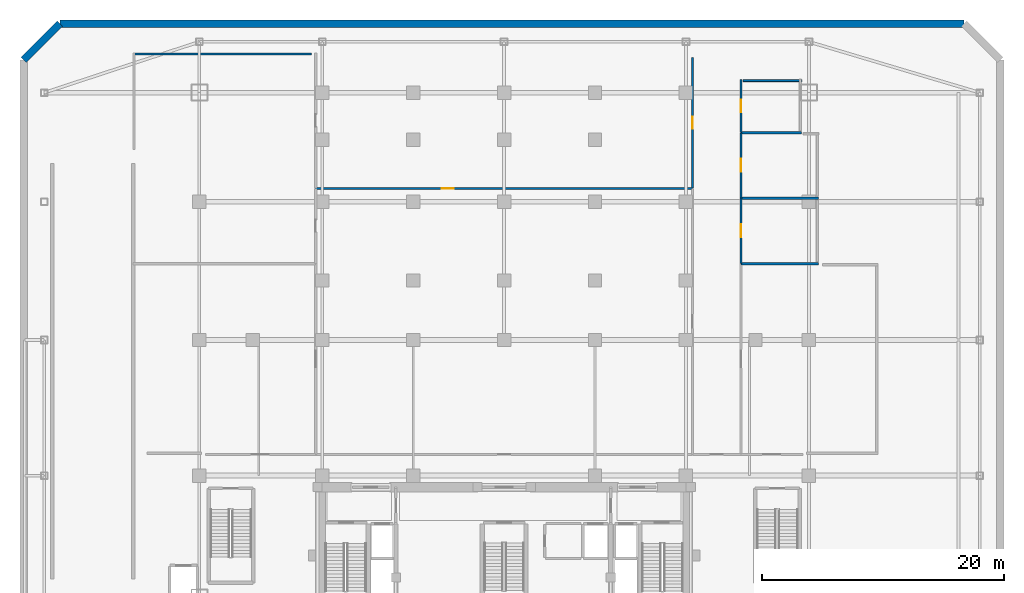
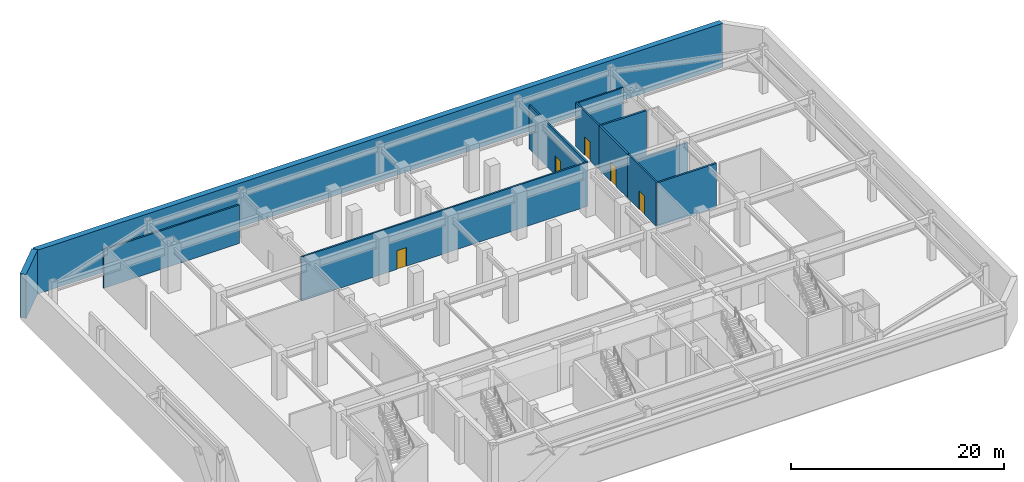
# One storey, part 6 of 9: 12 walls, 5 doors, 5 openings.
"""IFC4 building model written with IfcOpenShell, lengths in metres."""

from ifc_helpers import new_model, si_unit, direction, frame, frame_2d, origin, place, context, subcontext, project, spatial, rectangle, extrude, material, layer, layer_set, type_object, element, fill, save


model = new_model("IFC4")

# Units and contexts
model_context = context("Model", 3, precision=1e-05, world=origin(), true_north=direction((0.0, 1.0)))
body_context = subcontext(model_context, "Body", "Model", "MODEL_VIEW")
ifc_project = project(units=[si_unit("LENGTHUNIT", "METRE"), si_unit("AREAUNIT", "SQUARE_METRE"), si_unit("VOLUMEUNIT", "CUBIC_METRE"), si_unit("PLANEANGLEUNIT", "RADIAN"), si_unit("MASSUNIT", "GRAM", prefix="KILO")], contexts=[model_context])

# Site, building, storey
site_placement = place(None, origin())
site = spatial("IfcSite", under=ifc_project, at=site_placement, CompositionType="ELEMENT")
building_placement = place(site_placement, origin())
building = spatial("IfcBuilding", under=site, at=building_placement, Name="Ventersveld Concourse Tower", CompositionType="ELEMENT")
storey_placement = place(building_placement, frame((0.0, 0.0, -5.39990234375)))
storey = spatial("IfcBuildingStorey", under=building, at=storey_placement, Name="B01", CompositionType="ELEMENT", Elevation=-5.39990234375)

# Wall, opening, door
ifc_material_1 = material(Name="Fire-rated autoclaved aerated masonry blockwork", Category="masonry")
ifc_layer_1 = layer(ifc_material_1, 0.179931640625)
ifc_layer_set_1 = layer_set([ifc_layer_1], Name="Fire-rated autoclaved aerated masonry blockwork")
wall_type_1 = type_object("IfcWallType", Name="WL-CORR-180", PredefinedType="PARTITIONING", material=ifc_layer_set_1)
wall_1_placement = place(storey_placement, frame((13.205078125, 36.10009765625, 0.0), z_axis=(0.0, 0.0, 1.0), x_axis=(1.0, 0.0, 0.0)))
wall_1 = element("IfcWall", 1, at=wall_1_placement, inside=storey, type_object=wall_type_1, Name="B01 Interior Partition SP-B01-FARE-SP-B01-TICK", PredefinedType="PARTITIONING", context=body_context, shape_type="SweptSolid", body=[
    extrude(rectangle(XDim=31.08984375, YDim=0.179931640625, at=frame_2d((15.544921875, 0.0))), origin(), (0.0, 0.0, 1.0), 5.0498046875),
])
opening_1_placement = place(wall_1_placement, frame((10.381591796875, 0.0, 0.0)))
opening_1 = element("IfcOpeningElement", 2, at=opening_1_placement, cuts=wall_1, Name="Opening FD3", PredefinedType="OPENING", context=body_context, shape_type="SweptSolid", body=[
    extrude(rectangle(XDim=1.0, YDim=2.14990234375, at=frame_2d((0.5, 1.074951171875))), frame((0.0, 0.10009765625, 0.0), z_axis=(0.0, -1.0, 0.0), x_axis=(1.0, 0.0, 0.0)), (0.0, 0.0, 1.0), 0.199951171875),
])
ifc_material_2 = material(Name="Solid-core hardwood veneer timber", Category="wood")
door_type_1 = type_object("IfcDoorType", Name="DR-FLAT-100", OperationType="NOTDEFINED", PredefinedType="DOOR", material=ifc_material_2)
door_1_placement = place(opening_1_placement, origin())
door_1 = element("IfcDoor", 3, at=door_1_placement, inside=storey, type_object=door_type_1, Name="B01 Interior Door SP-B01-FARE to SP-B01-TICK (D-B01-0039)", OperationType="SINGLE_SWING_LEFT", OverallHeight=2.14990234375, OverallWidth=1.0, PredefinedType="DOOR", context=body_context, shape_type="SweptSolid", body=[
    extrude(rectangle(XDim=1.0, YDim=2.14990234375, at=frame_2d((0.5, 1.074951171875))), frame((0.0, 0.02490234375, 0.0), z_axis=(0.0, -1.0, 0.0), x_axis=(1.0, 0.0, 0.0)), (0.0, 0.0, 1.0), 0.050048828125),
])
fill(opening_1, door_1)

wall_2_placement = place(storey_placement, frame((44.300048828125, 36.125, 0.0), z_axis=(0.0, 0.0, 1.0), x_axis=(0.0, 1.0, 0.0)))
wall_2 = element("IfcWall", 4, at=wall_2_placement, inside=storey, type_object=wall_type_1, Name="B01 Interior Partition SP-B01-TICK-SP-B01-WCLOB", PredefinedType="PARTITIONING", context=body_context, shape_type="SweptSolid", body=[
    extrude(rectangle(XDim=10.77001953125, YDim=0.179931640625, at=frame_2d((5.385009765625, 0.0))), origin(), (0.0, 0.0, 1.0), 5.0498046875),
])
opening_2_placement = place(wall_2_placement, frame((4.885009765625, 0.0, 0.0)))
opening_2 = element("IfcOpeningElement", 5, at=opening_2_placement, cuts=wall_2, Name="Opening FD3", PredefinedType="OPENING", context=body_context, shape_type="SweptSolid", body=[
    extrude(rectangle(XDim=1.0, YDim=2.14990234375, at=frame_2d((0.5, 1.074951171875))), frame((0.0, 0.10009765625, 0.0), z_axis=(0.0, -1.0, 0.0), x_axis=(1.0, 0.0, 0.0)), (0.0, 0.0, 1.0), 0.199951171875),
])
door_2_placement = place(opening_2_placement, origin())
door_2 = element("IfcDoor", 6, at=door_2_placement, inside=storey, type_object=door_type_1, Name="B01 Interior Door SP-B01-TICK to SP-B01-WCLOB (D-B01-0044)", OperationType="SINGLE_SWING_RIGHT", OverallHeight=2.14990234375, OverallWidth=1.0, PredefinedType="DOOR", context=body_context, shape_type="SweptSolid", body=[
    extrude(rectangle(XDim=1.0, YDim=2.14990234375, at=frame_2d((0.5, 1.074951171875))), frame((0.0, 0.02490234375, 0.0), z_axis=(0.0, -1.0, 0.0), x_axis=(1.0, 0.0, 0.0)), (0.0, 0.0, 1.0), 0.050048828125),
])
fill(opening_2, door_2)

wall_3_placement = place(storey_placement, frame((48.300048828125, 29.925048828125, 0.0), z_axis=(0.0, 0.0, 1.0), x_axis=(0.0, 1.0, 0.0)))
wall_3 = element("IfcWall", 7, at=wall_3_placement, inside=storey, type_object=wall_type_1, Name="B01 Interior Partition SP-B01-WCLOB-SP-B01-MWC", PredefinedType="PARTITIONING", context=body_context, shape_type="SweptSolid", body=[
    extrude(rectangle(XDim=5.369873046875, YDim=0.179931640625, at=frame_2d((2.68505859375, 0.0))), origin(), (0.0, 0.0, 1.0), 5.0498046875),
])
opening_3_placement = place(wall_3_placement, frame((2.159912109375, 0.0, 0.0)))
opening_3 = element("IfcOpeningElement", 8, at=opening_3_placement, cuts=wall_3, Name="Opening ID3", PredefinedType="OPENING", context=body_context, shape_type="SweptSolid", body=[
    extrude(rectangle(XDim=1.050048828125, YDim=2.14990234375, at=frame_2d((0.52490234375, 1.074951171875))), frame((0.0, 0.10009765625, 0.0), z_axis=(0.0, -1.0, 0.0), x_axis=(1.0, 0.0, 0.0)), (0.0, 0.0, 1.0), 0.199951171875),
])
door_type_2 = type_object("IfcDoorType", Name="DR-AWC-105", OperationType="NOTDEFINED", PredefinedType="DOOR", material=ifc_material_2)
door_3_placement = place(opening_3_placement, origin())
door_3 = element("IfcDoor", 9, at=door_3_placement, inside=storey, type_object=door_type_2, Name="B01 Interior Door SP-B01-WCLOB to SP-B01-MWC (WD-B01-0046)", OperationType="SINGLE_SWING_RIGHT", OverallHeight=2.14990234375, OverallWidth=1.050048828125, PredefinedType="DOOR", context=body_context, shape_type="SweptSolid", body=[
    extrude(rectangle(XDim=1.050048828125, YDim=2.14990234375, at=frame_2d((0.52490234375, 1.074951171875))), frame((0.0, 0.02490234375, 0.0), z_axis=(0.0, -1.0, 0.0), x_axis=(1.0, 0.0, 0.0)), (0.0, 0.0, 1.0), 0.050048828125),
])
fill(opening_3, door_3)

wall_4_placement = place(storey_placement, frame((48.300048828125, 35.324951171875, 0.0), z_axis=(0.0, 0.0, 1.0), x_axis=(0.0, 1.0, 0.0)))
wall_4 = element("IfcWall", 10, at=wall_4_placement, inside=storey, type_object=wall_type_1, Name="B01 Interior Partition SP-B01-WCLOB-SP-B01-FWC", PredefinedType="PARTITIONING", context=body_context, shape_type="SweptSolid", body=[
    extrude(rectangle(XDim=5.3701171875, YDim=0.179931640625, at=frame_2d((2.68505859375, 0.0))), origin(), (0.0, 0.0, 1.0), 5.0498046875),
])
opening_4_placement = place(wall_4_placement, frame((2.159912109375, 0.0, 0.0)))
opening_4 = element("IfcOpeningElement", 11, at=opening_4_placement, cuts=wall_4, Name="Opening ID3", PredefinedType="OPENING", context=body_context, shape_type="SweptSolid", body=[
    extrude(rectangle(XDim=1.050048828125, YDim=2.14990234375, at=frame_2d((0.52490234375, 1.074951171875))), frame((0.0, 0.10009765625, 0.0), z_axis=(0.0, -1.0, 0.0), x_axis=(1.0, 0.0, 0.0)), (0.0, 0.0, 1.0), 0.199951171875),
])
door_4_placement = place(opening_4_placement, origin())
door_4 = element("IfcDoor", 12, at=door_4_placement, inside=storey, type_object=door_type_2, Name="B01 Interior Door SP-B01-WCLOB to SP-B01-FWC (WD-B01-0047)", OperationType="SINGLE_SWING_LEFT", OverallHeight=2.14990234375, OverallWidth=1.050048828125, PredefinedType="DOOR", context=body_context, shape_type="SweptSolid", body=[
    extrude(rectangle(XDim=1.050048828125, YDim=2.14990234375, at=frame_2d((0.52490234375, 1.074951171875))), frame((0.0, 0.02490234375, 0.0), z_axis=(0.0, -1.0, 0.0), x_axis=(1.0, 0.0, 0.0)), (0.0, 0.0, 1.0), 0.050048828125),
])
fill(opening_4, door_4)

wall_5_placement = place(storey_placement, frame((48.300048828125, 40.72509765625, 0.0), z_axis=(0.0, 0.0, 1.0), x_axis=(0.0, 1.0, 0.0)))
wall_5 = element("IfcWall", 13, at=wall_5_placement, inside=storey, type_object=wall_type_1, Name="B01 Interior Partition SP-B01-WCLOB-SP-B01-AWC", PredefinedType="PARTITIONING", context=body_context, shape_type="SweptSolid", body=[
    extrude(rectangle(XDim=4.369873046875, YDim=0.179931640625, at=frame_2d((2.18505859375, 0.0))), origin(), (0.0, 0.0, 1.0), 5.0498046875),
])
opening_5_placement = place(wall_5_placement, frame((1.659912109375, 0.0, 0.0)))
opening_5 = element("IfcOpeningElement", 14, at=opening_5_placement, cuts=wall_5, Name="Opening ID3", PredefinedType="OPENING", context=body_context, shape_type="SweptSolid", body=[
    extrude(rectangle(XDim=1.050048828125, YDim=2.14990234375, at=frame_2d((0.52490234375, 1.074951171875))), frame((0.0, 0.10009765625, 0.0), z_axis=(0.0, -1.0, 0.0), x_axis=(1.0, 0.0, 0.0)), (0.0, 0.0, 1.0), 0.199951171875),
])
door_5_placement = place(opening_5_placement, origin())
door_5 = element("IfcDoor", 15, at=door_5_placement, inside=storey, type_object=door_type_2, Name="B01 Interior Door SP-B01-WCLOB to SP-B01-AWC (WD-B01-0048)", OperationType="SINGLE_SWING_RIGHT", OverallHeight=2.14990234375, OverallWidth=1.050048828125, PredefinedType="DOOR", context=body_context, shape_type="SweptSolid", body=[
    extrude(rectangle(XDim=1.050048828125, YDim=2.14990234375, at=frame_2d((0.52490234375, 1.074951171875))), frame((0.0, 0.02490234375, 0.0), z_axis=(0.0, -1.0, 0.0), x_axis=(1.0, 0.0, 0.0)), (0.0, 0.0, 1.0), 0.050048828125),
])
fill(opening_5, door_5)

# Walls
wall_6_placement = place(storey_placement, frame((12.875, 47.199951171875, 0.0), z_axis=(0.0, 0.0, 1.0), x_axis=(-1.0, 0.0, 0.0)))
element("IfcWall", 16, at=wall_6_placement, inside=storey, type_object=wall_type_1, Name="B01 Room Enclosure Wall SP-B01-RET1", PredefinedType="PARTITIONING", context=body_context, shape_type="SweptSolid", body=[
    extrude(rectangle(XDim=14.77001953125, YDim=0.179931640625, at=frame_2d((7.385009765625, 0.0))), origin(), (0.0, 0.0, 1.0), 4.4326171875),
])
ifc_layer_2 = layer(ifc_material_1, 0.199951171875)
ifc_layer_set_2 = layer_set([ifc_layer_2], Name="Fire-rated autoclaved aerated masonry blockwork")
wall_type_2 = type_object("IfcWallType", Name="WL-DEMISE-200", PredefinedType="PARTITIONING", material=ifc_layer_set_2)
wall_7_placement = place(storey_placement, frame((48.304931640625, 29.89990234375, 0.0), z_axis=(0.0, 0.0, 1.0), x_axis=(1.0, 0.0, 0.0)))
element("IfcWall", 17, at=wall_7_placement, inside=storey, type_object=wall_type_2, Name="B01 Interior Partition SP-B01-GEN-SP-B01-MWC", PredefinedType="PARTITIONING", context=body_context, shape_type="SweptSolid", body=[
    extrude(rectangle(XDim=6.39013671875, YDim=0.199951171875, at=frame_2d((3.195068359375, 0.0))), origin(), (0.0, 0.0, 1.0), 5.0498046875),
])
wall_8_placement = place(storey_placement, frame((48.304931640625, 35.300048828125, 0.0), z_axis=(0.0, 0.0, 1.0), x_axis=(1.0, 0.0, 0.0)))
element("IfcWall", 18, at=wall_8_placement, inside=storey, type_object=wall_type_2, Name="B01 Interior Partition SP-B01-MWC-SP-B01-FWC", PredefinedType="PARTITIONING", context=body_context, shape_type="SweptSolid", body=[
    extrude(rectangle(XDim=6.39013671875, YDim=0.199951171875, at=frame_2d((3.195068359375, 0.0))), origin(), (0.0, 0.0, 1.0), 4.14990234375),
])
wall_9_placement = place(storey_placement, frame((48.304931640625, 40.699951171875, 0.0), z_axis=(0.0, 0.0, 1.0), x_axis=(1.0, 0.0, 0.0)))
element("IfcWall", 19, at=wall_9_placement, inside=storey, type_object=wall_type_2, Name="B01 Interior Partition SP-B01-FWC-SP-B01-AWC", PredefinedType="PARTITIONING", context=body_context, shape_type="SweptSolid", body=[
    extrude(rectangle(XDim=4.989990234375, YDim=0.199951171875, at=frame_2d((2.4951171875, 0.0))), origin(), (0.0, 0.0, 1.0), 5.0498046875),
])
ifc_material_3 = material(Name="Concrete C50/60", Category="concrete")
ifc_layer_3 = layer(ifc_material_3, 0.60009765625)
ifc_layer_set_3 = layer_set([ifc_layer_3], Name="Concrete C50/60")
wall_type_3 = type_object("IfcWallType", Name="WL-RET-600", PredefinedType="SOLIDWALL", material=ifc_layer_set_3)
wall_10_placement = place(storey_placement, frame((66.699951171875, 49.699951171875, 0.0), z_axis=(0.0, 0.0, 1.0), x_axis=(-1.0, 0.0, 0.0)))
element("IfcWall", 20, at=wall_10_placement, inside=storey, type_object=wall_type_3, Name="B01 Basement Retaining Wall 05", PredefinedType="SOLIDWALL", context=body_context, shape_type="SweptSolid", body=[
    extrude(rectangle(XDim=74.599853515625, YDim=0.60009765625, at=frame_2d((37.2998046875, 0.0))), origin(), (0.0, 0.0, 1.0), 5.0498046875),
])
wall_11_placement = place(storey_placement, frame((-7.89990234375, 49.699951171875, 0.0), z_axis=(0.0, 0.0, 1.0), x_axis=(-0.707106781187, -0.707106781187, 0.0)))
element("IfcWall", 21, at=wall_11_placement, inside=storey, type_object=wall_type_3, Name="B01 Basement Retaining Wall 06", PredefinedType="SOLIDWALL", context=body_context, shape_type="SweptSolid", body=[
    extrude(rectangle(XDim=4.24267578125, YDim=0.60009765625, at=frame_2d((2.121337890625, 0.0))), origin(), (0.0, 0.0, 1.0), 5.0498046875),
])
ifc_material_4 = material(Name="Autoclaved aerated masonry blockwork", Category="masonry")
ifc_layer_4 = layer(ifc_material_4, 0.1650390625)
ifc_layer_set_4 = layer_set([ifc_layer_4], Name="Autoclaved aerated masonry blockwork")
wall_type_4 = type_object("IfcWallType", Name="WL-WET-165", PredefinedType="PLUMBINGWALL", material=ifc_layer_set_4)
wall_12_placement = place(storey_placement, frame((53.294921875, 45.0, 0.0), z_axis=(0.0, 0.0, 1.0), x_axis=(-1.0, 0.0, 0.0)))
element("IfcWall", 22, at=wall_12_placement, inside=storey, type_object=wall_type_4, Name="B01 Room Enclosure Wall SP-B01-AWC", PredefinedType="PLUMBINGWALL", context=body_context, shape_type="SweptSolid", body=[
    extrude(rectangle(XDim=4.829833984375, YDim=0.1650390625, at=frame_2d((2.4150390625, 0.0))), origin(), (0.0, 0.0, 1.0), 5.0498046875),
])

save(model, "model.ifc")
